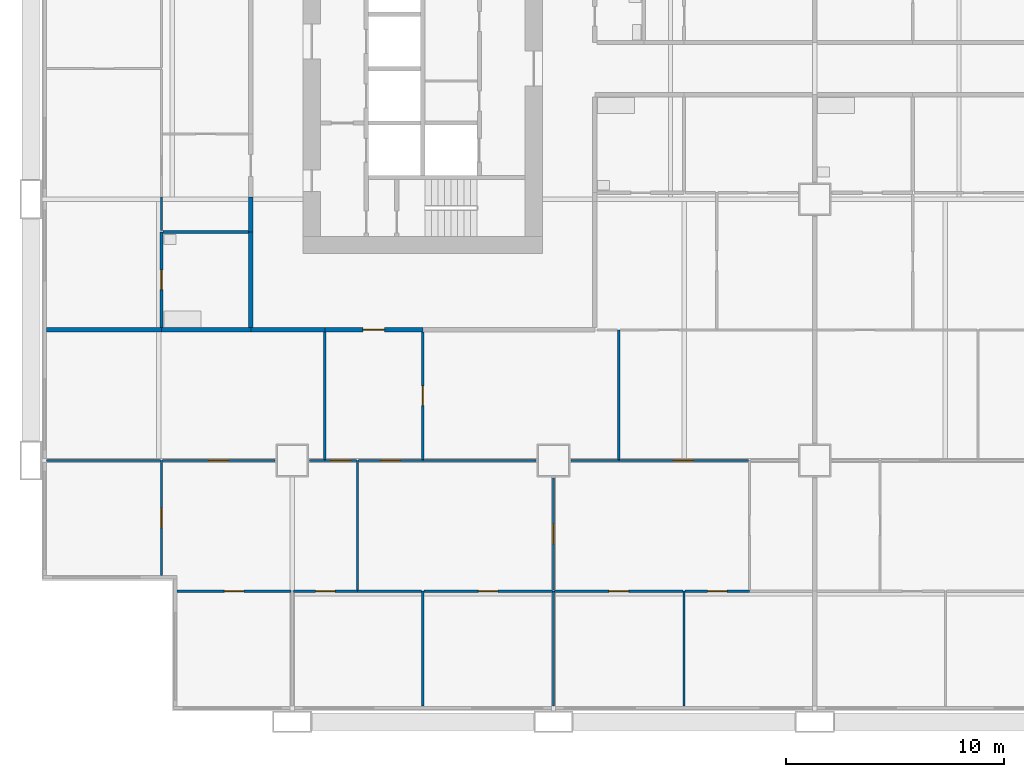
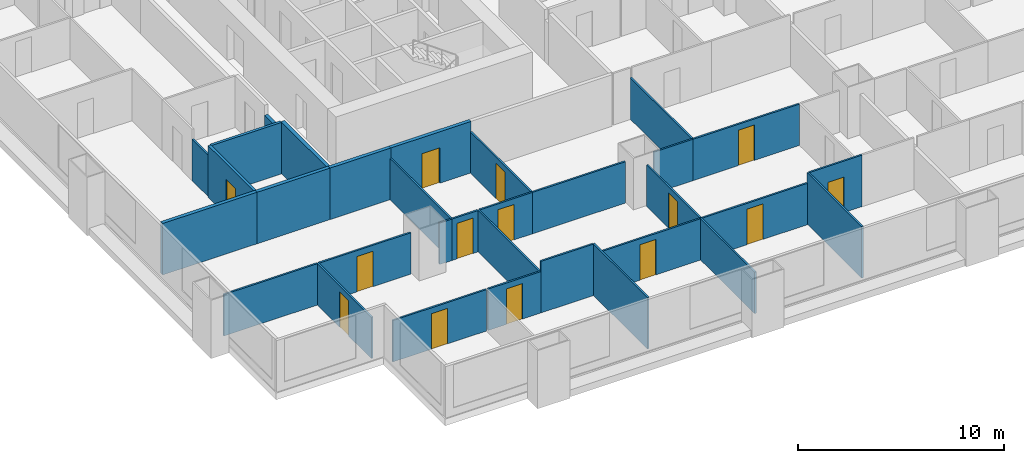
# One storey, part 2 of 13: 32 walls, 14 doors, 14 openings.
"""IFC4 building model written with IfcOpenShell, lengths in metres."""

from ifc_helpers import new_model, si_unit, direction, frame, frame_2d, origin, place, context, subcontext, project, spatial, rectangle, extrude, material, layer, layer_set, type_object, element, fill, save


model = new_model("IFC4")

# Units and contexts
model_context = context("Model", 3, precision=1e-05, world=origin(), true_north=direction((0.0, 1.0)))
body_context = subcontext(model_context, "Body", "Model", "MODEL_VIEW")
ifc_project = project(units=[si_unit("LENGTHUNIT", "METRE"), si_unit("AREAUNIT", "SQUARE_METRE"), si_unit("VOLUMEUNIT", "CUBIC_METRE"), si_unit("PLANEANGLEUNIT", "RADIAN"), si_unit("MASSUNIT", "GRAM", prefix="KILO")], contexts=[model_context])

# Site, building, storey
site_placement = place(None, origin())
site = spatial("IfcSite", under=ifc_project, at=site_placement, CompositionType="ELEMENT")
building_placement = place(site_placement, origin())
building = spatial("IfcBuilding", under=site, at=building_placement, Name="Kitamizu Gate Tower and Museum", CompositionType="ELEMENT")
storey_placement = place(building_placement, frame((0.0, 0.0, 36.89990234375)))
storey = spatial("IfcBuildingStorey", under=building, at=storey_placement, Name="L07", CompositionType="ELEMENT", Elevation=36.89990234375)

# Wall, opening, door
ifc_material_1 = material(Name="Gypsum board on galvanised stud")
ifc_layer_1 = layer(ifc_material_1, 0.10009765625)
ifc_layer_set_1 = layer_set([ifc_layer_1], Name="Gypsum board on galvanised stud")
wall_type_1 = type_object("IfcWallType", Name="Partition 100 NOT RATED", PredefinedType="PARTITIONING", material=ifc_layer_set_1)
wall_1_placement = place(storey_placement, frame((11.949951171875, 6.0, 0.0), z_axis=(0.0, 0.0, 1.0), x_axis=(-1.0, 0.0, 0.0)))
wall_1 = element("IfcWall", 1, at=wall_1_placement, inside=storey, type_object=wall_type_1, Name="Partition L07-002", PredefinedType="PARTITIONING", context=body_context, shape_type="SweptSolid", body=[
    extrude(rectangle(XDim=5.22998046875, YDim=0.10009765625, at=frame_2d((2.614990234375, 0.0))), origin(), (0.0, 0.0, 1.0), 2.4501953125),
])
opening_1_placement = place(wall_1_placement, frame((2.1650390625, 0.0, 0.0)))
opening_1 = element("IfcOpeningElement", 2, at=opening_1_placement, cuts=wall_1, Name="Opening L07-004", PredefinedType="OPENING", context=body_context, shape_type="SweptSolid", body=[
    extrude(rectangle(XDim=0.89990234375, YDim=2.10009765625, at=frame_2d((0.449951171875, 1.050048828125))), frame((0.0, 0.06005859375, 0.0), z_axis=(0.0, -1.0, 0.0), x_axis=(1.0, 0.0, 0.0)), (0.0, 0.0, 1.0), 0.1201171875),
])
ifc_material_2 = material(Name="Timber door set", Category="wood")
door_type_1 = type_object("IfcDoorType", Name="Room door 900", OperationType="NOTDEFINED", PredefinedType="DOOR", material=ifc_material_2)
door_1_placement = place(opening_1_placement, origin())
door_1 = element("IfcDoor", 3, at=door_1_placement, inside=storey, type_object=door_type_1, Name="Door L07-004", OperationType="SINGLE_SWING_LEFT", OverallHeight=2.10009765625, OverallWidth=0.89990234375, PredefinedType="DOOR", context=body_context, shape_type="SweptSolid", body=[
    extrude(rectangle(XDim=0.89990234375, YDim=2.10009765625, at=frame_2d((0.449951171875, 1.050048828125))), frame((0.0, 0.02490234375, 0.0), z_axis=(0.0, -1.0, 0.0), x_axis=(1.0, 0.0, 0.0)), (0.0, 0.0, 1.0), 0.050048828125),
])
fill(opening_1, door_1)

# Wall
wall_2_placement = place(storey_placement, frame((18.0, 0.719970703125, 0.0), z_axis=(0.0, 0.0, 1.0), x_axis=(0.0, 1.0, 0.0)))
element("IfcWall", 4, at=wall_2_placement, inside=storey, type_object=wall_type_1, Name="Partition L07-003", PredefinedType="PARTITIONING", context=body_context, shape_type="SweptSolid", body=[
    extrude(rectangle(XDim=5.280029296875, YDim=0.10009765625, at=frame_2d((2.64013671875, 0.0))), origin(), (0.0, 0.0, 1.0), 3.050048828125),
])

# Wall, opening, door
wall_3_placement = place(storey_placement, frame((15.0, 6.0, 0.0), z_axis=(0.0, 0.0, 1.0), x_axis=(-1.0, 0.0, 0.0)))
wall_3 = element("IfcWall", 5, at=wall_3_placement, inside=storey, type_object=wall_type_1, Name="Partition L07-004", PredefinedType="PARTITIONING", context=body_context, shape_type="SweptSolid", body=[
    extrude(rectangle(XDim=2.949951171875, YDim=0.10009765625, at=frame_2d((1.47509765625, 0.0))), origin(), (0.0, 0.0, 1.0), 2.4501953125),
])
opening_2_placement = place(wall_3_placement, frame((1.02490234375, 0.0, 0.0)))
opening_2 = element("IfcOpeningElement", 6, at=opening_2_placement, cuts=wall_3, Name="Opening L07-005", PredefinedType="OPENING", context=body_context, shape_type="SweptSolid", body=[
    extrude(rectangle(XDim=0.89990234375, YDim=2.10009765625, at=frame_2d((0.449951171875, 1.050048828125))), frame((0.0, 0.06005859375, 0.0), z_axis=(0.0, -1.0, 0.0), x_axis=(1.0, 0.0, 0.0)), (0.0, 0.0, 1.0), 0.1201171875),
])
door_2_placement = place(opening_2_placement, origin())
door_2 = element("IfcDoor", 7, at=door_2_placement, inside=storey, type_object=door_type_1, Name="Door L07-005", OperationType="SINGLE_SWING_LEFT", OverallHeight=2.10009765625, OverallWidth=0.89990234375, PredefinedType="DOOR", context=body_context, shape_type="SweptSolid", body=[
    extrude(rectangle(XDim=0.89990234375, YDim=2.10009765625, at=frame_2d((0.449951171875, 1.050048828125))), frame((0.0, 0.02490234375, 0.0), z_axis=(0.0, -1.0, 0.0), x_axis=(1.0, 0.0, 0.0)), (0.0, 0.0, 1.0), 0.050048828125),
])
fill(opening_2, door_2)

# Walls
wall_4_placement = place(storey_placement, frame((17.949951171875, 6.0, 0.0), z_axis=(0.0, 0.0, 1.0), x_axis=(-1.0, 0.0, 0.0)))
element("IfcWall", 8, at=wall_4_placement, inside=storey, type_object=wall_type_1, Name="Partition L07-005", PredefinedType="PARTITIONING", context=body_context, shape_type="SweptSolid", body=[
    extrude(rectangle(XDim=2.949951171875, YDim=0.10009765625, at=frame_2d((1.47509765625, 0.0))), origin(), (0.0, 0.0, 1.0), 3.050048828125),
])
wall_5_placement = place(storey_placement, frame((24.0, 0.719970703125, 0.0), z_axis=(0.0, 0.0, 1.0), x_axis=(0.0, 1.0, 0.0)))
element("IfcWall", 9, at=wall_5_placement, inside=storey, type_object=wall_type_1, Name="Partition L07-006", PredefinedType="PARTITIONING", context=body_context, shape_type="SweptSolid", body=[
    extrude(rectangle(XDim=5.280029296875, YDim=0.10009765625, at=frame_2d((2.64013671875, 0.0))), origin(), (0.0, 0.0, 1.0), 2.4501953125),
])

# Wall, opening, door
wall_6_placement = place(storey_placement, frame((23.949951171875, 6.0, 0.0), z_axis=(0.0, 0.0, 1.0), x_axis=(-1.0, 0.0, 0.0)))
wall_6 = element("IfcWall", 10, at=wall_6_placement, inside=storey, type_object=wall_type_1, Name="Partition L07-007", PredefinedType="PARTITIONING", context=body_context, shape_type="SweptSolid", body=[
    extrude(rectangle(XDim=5.89990234375, YDim=0.10009765625, at=frame_2d((2.949951171875, 0.0))), origin(), (0.0, 0.0, 1.0), 2.4501953125),
])
opening_3_placement = place(wall_6_placement, frame((2.5, 0.0, 0.0)))
opening_3 = element("IfcOpeningElement", 11, at=opening_3_placement, cuts=wall_6, Name="Opening L07-007", PredefinedType="OPENING", context=body_context, shape_type="SweptSolid", body=[
    extrude(rectangle(XDim=0.89990234375, YDim=2.10009765625, at=frame_2d((0.449951171875, 1.050048828125))), frame((0.0, 0.06005859375, 0.0), z_axis=(0.0, -1.0, 0.0), x_axis=(1.0, 0.0, 0.0)), (0.0, 0.0, 1.0), 0.1201171875),
])
door_3_placement = place(opening_3_placement, origin())
door_3 = element("IfcDoor", 12, at=door_3_placement, inside=storey, type_object=door_type_1, Name="Door L07-007", OperationType="SINGLE_SWING_LEFT", OverallHeight=2.10009765625, OverallWidth=0.89990234375, PredefinedType="DOOR", context=body_context, shape_type="SweptSolid", body=[
    extrude(rectangle(XDim=0.89990234375, YDim=2.10009765625, at=frame_2d((0.449951171875, 1.050048828125))), frame((0.0, 0.02490234375, 0.0), z_axis=(0.0, -1.0, 0.0), x_axis=(1.0, 0.0, 0.0)), (0.0, 0.0, 1.0), 0.050048828125),
])
fill(opening_3, door_3)

# Wall
wall_7_placement = place(storey_placement, frame((30.0, 0.719970703125, 0.0), z_axis=(0.0, 0.0, 1.0), x_axis=(0.0, 1.0, 0.0)))
element("IfcWall", 13, at=wall_7_placement, inside=storey, type_object=wall_type_1, Name="Partition L07-008", PredefinedType="PARTITIONING", context=body_context, shape_type="SweptSolid", body=[
    extrude(rectangle(XDim=5.280029296875, YDim=0.10009765625, at=frame_2d((2.64013671875, 0.0))), origin(), (0.0, 0.0, 1.0), 3.050048828125),
])

# Wall, opening, door
wall_8_placement = place(storey_placement, frame((29.949951171875, 6.0, 0.0), z_axis=(0.0, 0.0, 1.0), x_axis=(-1.0, 0.0, 0.0)))
wall_8 = element("IfcWall", 14, at=wall_8_placement, inside=storey, type_object=wall_type_1, Name="Partition L07-009", PredefinedType="PARTITIONING", context=body_context, shape_type="SweptSolid", body=[
    extrude(rectangle(XDim=5.89990234375, YDim=0.10009765625, at=frame_2d((2.949951171875, 0.0))), origin(), (0.0, 0.0, 1.0), 2.4501953125),
])
opening_4_placement = place(wall_8_placement, frame((2.5, 0.0, 0.0)))
opening_4 = element("IfcOpeningElement", 15, at=opening_4_placement, cuts=wall_8, Name="Opening L07-008", PredefinedType="OPENING", context=body_context, shape_type="SweptSolid", body=[
    extrude(rectangle(XDim=0.89990234375, YDim=2.10009765625, at=frame_2d((0.449951171875, 1.050048828125))), frame((0.0, 0.06005859375, 0.0), z_axis=(0.0, -1.0, 0.0), x_axis=(1.0, 0.0, 0.0)), (0.0, 0.0, 1.0), 0.1201171875),
])
door_4_placement = place(opening_4_placement, origin())
door_4 = element("IfcDoor", 16, at=door_4_placement, inside=storey, type_object=door_type_1, Name="Door L07-008", OperationType="SINGLE_SWING_RIGHT", OverallHeight=2.10009765625, OverallWidth=0.89990234375, PredefinedType="DOOR", context=body_context, shape_type="SweptSolid", body=[
    extrude(rectangle(XDim=0.89990234375, YDim=2.10009765625, at=frame_2d((0.449951171875, 1.050048828125))), frame((0.0, 0.02490234375, 0.0), z_axis=(0.0, -1.0, 0.0), x_axis=(1.0, 0.0, 0.0)), (0.0, 0.0, 1.0), 0.050048828125),
])
fill(opening_4, door_4)

wall_9_placement = place(storey_placement, frame((33.0, 6.0, 0.0), z_axis=(0.0, 0.0, 1.0), x_axis=(-1.0, 0.0, 0.0)))
wall_9 = element("IfcWall", 17, at=wall_9_placement, inside=storey, type_object=wall_type_1, Name="Partition L07-010", PredefinedType="PARTITIONING", context=body_context, shape_type="SweptSolid", body=[
    extrude(rectangle(XDim=2.949951171875, YDim=0.10009765625, at=frame_2d((1.47509765625, 0.0))), origin(), (0.0, 0.0, 1.0), 3.050048828125),
])
opening_5_placement = place(wall_9_placement, frame((1.02490234375, 0.0, 0.0)))
opening_5 = element("IfcOpeningElement", 18, at=opening_5_placement, cuts=wall_9, Name="Opening L07-009", PredefinedType="OPENING", context=body_context, shape_type="SweptSolid", body=[
    extrude(rectangle(XDim=0.89990234375, YDim=2.10009765625, at=frame_2d((0.449951171875, 1.050048828125))), frame((0.0, 0.06005859375, 0.0), z_axis=(0.0, -1.0, 0.0), x_axis=(1.0, 0.0, 0.0)), (0.0, 0.0, 1.0), 0.1201171875),
])
door_5_placement = place(opening_5_placement, origin())
door_5 = element("IfcDoor", 19, at=door_5_placement, inside=storey, type_object=door_type_1, Name="Door L07-009", OperationType="SINGLE_SWING_LEFT", OverallHeight=2.10009765625, OverallWidth=0.89990234375, PredefinedType="DOOR", context=body_context, shape_type="SweptSolid", body=[
    extrude(rectangle(XDim=0.89990234375, YDim=2.10009765625, at=frame_2d((0.449951171875, 1.050048828125))), frame((0.0, 0.02490234375, 0.0), z_axis=(0.0, -1.0, 0.0), x_axis=(1.0, 0.0, 0.0)), (0.0, 0.0, 1.0), 0.050048828125),
])
fill(opening_5, door_5)

wall_10_placement = place(storey_placement, frame((6.0, 6.719970703125, 0.0), z_axis=(0.0, 0.0, 1.0), x_axis=(0.0, 1.0, 0.0)))
wall_10 = element("IfcWall", 20, at=wall_10_placement, inside=storey, type_object=wall_type_1, Name="Partition L07-013", PredefinedType="PARTITIONING", context=body_context, shape_type="SweptSolid", body=[
    extrude(rectangle(XDim=5.280029296875, YDim=0.10009765625, at=frame_2d((2.64013671875, 0.0))), origin(), (0.0, 0.0, 1.0), 2.4501953125),
])
opening_6_placement = place(wall_10_placement, frame((2.18994140625, 0.0, 0.0)))
opening_6 = element("IfcOpeningElement", 21, at=opening_6_placement, cuts=wall_10, Name="Opening L07-010", PredefinedType="OPENING", context=body_context, shape_type="SweptSolid", body=[
    extrude(rectangle(XDim=0.89990234375, YDim=2.10009765625, at=frame_2d((0.449951171875, 1.050048828125))), frame((0.0, 0.06005859375, 0.0), z_axis=(0.0, -1.0, 0.0), x_axis=(1.0, 0.0, 0.0)), (0.0, 0.0, 1.0), 0.1201171875),
])
door_6_placement = place(opening_6_placement, origin())
door_6 = element("IfcDoor", 22, at=door_6_placement, inside=storey, type_object=door_type_1, Name="Door L07-010", OperationType="SINGLE_SWING_LEFT", OverallHeight=2.10009765625, OverallWidth=0.89990234375, PredefinedType="DOOR", context=body_context, shape_type="SweptSolid", body=[
    extrude(rectangle(XDim=0.89990234375, YDim=2.10009765625, at=frame_2d((0.449951171875, 1.050048828125))), frame((0.0, 0.02490234375, 0.0), z_axis=(0.0, -1.0, 0.0), x_axis=(1.0, 0.0, 0.0)), (0.0, 0.0, 1.0), 0.050048828125),
])
fill(opening_6, door_6)

# Walls
wall_11_placement = place(storey_placement, frame((5.949951171875, 12.0, 0.0), z_axis=(0.0, 0.0, 1.0), x_axis=(-1.0, 0.0, 0.0)))
element("IfcWall", 23, at=wall_11_placement, inside=storey, type_object=wall_type_1, Name="Partition L07-014", PredefinedType="PARTITIONING", context=body_context, shape_type="SweptSolid", body=[
    extrude(rectangle(XDim=5.22998046875, YDim=0.10009765625, at=frame_2d((2.614990234375, 0.0))), origin(), (0.0, 0.0, 1.0), 2.4501953125),
])
wall_12_placement = place(storey_placement, frame((15.0, 6.050048828125, 0.0), z_axis=(0.0, 0.0, 1.0), x_axis=(0.0, 1.0, 0.0)))
element("IfcWall", 24, at=wall_12_placement, inside=storey, type_object=wall_type_1, Name="Partition L07-015", PredefinedType="PARTITIONING", context=body_context, shape_type="SweptSolid", body=[
    extrude(rectangle(XDim=5.949951171875, YDim=0.10009765625, at=frame_2d((2.97509765625, 0.0))), origin(), (0.0, 0.0, 1.0), 2.4501953125),
])

# Wall, opening, door
wall_13_placement = place(storey_placement, frame((11.199951171875, 12.0, 0.0), z_axis=(0.0, 0.0, 1.0), x_axis=(-1.0, 0.0, 0.0)))
wall_13 = element("IfcWall", 25, at=wall_13_placement, inside=storey, type_object=wall_type_1, Name="Partition L07-016", PredefinedType="PARTITIONING", context=body_context, shape_type="SweptSolid", body=[
    extrude(rectangle(XDim=5.14990234375, YDim=0.10009765625, at=frame_2d((2.574951171875, 0.0))), origin(), (0.0, 0.0, 1.0), 2.4501953125),
])
opening_7_placement = place(wall_13_placement, frame((2.125, 0.0, 0.0)))
opening_7 = element("IfcOpeningElement", 26, at=opening_7_placement, cuts=wall_13, Name="Opening L07-012", PredefinedType="OPENING", context=body_context, shape_type="SweptSolid", body=[
    extrude(rectangle(XDim=0.89990234375, YDim=2.10009765625, at=frame_2d((0.449951171875, 1.050048828125))), frame((0.0, 0.06005859375, 0.0), z_axis=(0.0, -1.0, 0.0), x_axis=(1.0, 0.0, 0.0)), (0.0, 0.0, 1.0), 0.1201171875),
])
door_7_placement = place(opening_7_placement, frame((0.89990234375, 0.0, 0.0), x_axis=(-1.0, 0.0, 0.0)))
door_7 = element("IfcDoor", 27, at=door_7_placement, inside=storey, type_object=door_type_1, Name="Door L07-012", OperationType="SINGLE_SWING_RIGHT", OverallHeight=2.10009765625, OverallWidth=0.89990234375, PredefinedType="DOOR", context=body_context, shape_type="SweptSolid", body=[
    extrude(rectangle(XDim=0.89990234375, YDim=2.10009765625, at=frame_2d((0.449951171875, 1.050048828125))), frame((0.0, 0.02490234375, 0.0), z_axis=(0.0, -1.0, 0.0), x_axis=(1.0, 0.0, 0.0)), (0.0, 0.0, 1.0), 0.050048828125),
])
fill(opening_7, door_7)

# Wall
wall_14_placement = place(storey_placement, frame((13.5, 12.0, 0.0), z_axis=(0.0, 0.0, 1.0), x_axis=(-1.0, 0.0, 0.0)))
element("IfcWall", 28, at=wall_14_placement, inside=storey, type_object=wall_type_1, Name="Partition L07-017", PredefinedType="PARTITIONING", context=body_context, shape_type="SweptSolid", body=[
    extrude(rectangle(XDim=0.699951171875, YDim=0.10009765625, at=frame_2d((0.35009765625, 0.0))), origin(), (0.0, 0.0, 1.0), 2.4501953125),
])

# Wall, opening, door
wall_15_placement = place(storey_placement, frame((14.949951171875, 12.0, 0.0), z_axis=(0.0, 0.0, 1.0), x_axis=(-1.0, 0.0, 0.0)))
wall_15 = element("IfcWall", 29, at=wall_15_placement, inside=storey, type_object=wall_type_1, Name="Partition L07-018", PredefinedType="PARTITIONING", context=body_context, shape_type="SweptSolid", body=[
    extrude(rectangle(XDim=1.449951171875, YDim=0.10009765625, at=frame_2d((0.72509765625, 0.0))), origin(), (0.0, 0.0, 1.0), 2.4501953125),
])
opening_8_placement = place(wall_15_placement, frame((0.27490234375, 0.0, 0.0)))
opening_8 = element("IfcOpeningElement", 30, at=opening_8_placement, cuts=wall_15, Name="Opening L07-002", PredefinedType="OPENING", context=body_context, shape_type="SweptSolid", body=[
    extrude(rectangle(XDim=0.89990234375, YDim=2.10009765625, at=frame_2d((0.449951171875, 1.050048828125))), frame((0.0, 0.06005859375, 0.0), z_axis=(0.0, -1.0, 0.0), x_axis=(1.0, 0.0, 0.0)), (0.0, 0.0, 1.0), 0.1201171875),
])
door_8_placement = place(opening_8_placement, frame((0.89990234375, 0.0, 0.0), x_axis=(-1.0, 0.0, 0.0)))
door_8 = element("IfcDoor", 31, at=door_8_placement, inside=storey, type_object=door_type_1, Name="Door L07-002", OperationType="SINGLE_SWING_RIGHT", OverallHeight=2.10009765625, OverallWidth=0.89990234375, PredefinedType="DOOR", context=body_context, shape_type="SweptSolid", body=[
    extrude(rectangle(XDim=0.89990234375, YDim=2.10009765625, at=frame_2d((0.449951171875, 1.050048828125))), frame((0.0, 0.02490234375, 0.0), z_axis=(0.0, -1.0, 0.0), x_axis=(1.0, 0.0, 0.0)), (0.0, 0.0, 1.0), 0.050048828125),
])
fill(opening_8, door_8)

wall_16_placement = place(storey_placement, frame((24.0, 6.050048828125, 0.0), z_axis=(0.0, 0.0, 1.0), x_axis=(0.0, 1.0, 0.0)))
wall_16 = element("IfcWall", 32, at=wall_16_placement, inside=storey, type_object=wall_type_1, Name="Partition L07-019", PredefinedType="PARTITIONING", context=body_context, shape_type="SweptSolid", body=[
    extrude(rectangle(XDim=5.14990234375, YDim=0.10009765625, at=frame_2d((2.574951171875, 0.0))), origin(), (0.0, 0.0, 1.0), 2.4501953125),
])
opening_9_placement = place(wall_16_placement, frame((2.125, 0.0, 0.0)))
opening_9 = element("IfcOpeningElement", 33, at=opening_9_placement, cuts=wall_16, Name="Opening L07-006", PredefinedType="OPENING", context=body_context, shape_type="SweptSolid", body=[
    extrude(rectangle(XDim=0.89990234375, YDim=2.10009765625, at=frame_2d((0.449951171875, 1.050048828125))), frame((0.0, 0.06005859375, 0.0), z_axis=(0.0, -1.0, 0.0), x_axis=(1.0, 0.0, 0.0)), (0.0, 0.0, 1.0), 0.1201171875),
])
door_9_placement = place(opening_9_placement, origin())
door_9 = element("IfcDoor", 34, at=door_9_placement, inside=storey, type_object=door_type_1, Name="Door L07-006", OperationType="SINGLE_SWING_RIGHT", OverallHeight=2.10009765625, OverallWidth=0.89990234375, PredefinedType="DOOR", context=body_context, shape_type="SweptSolid", body=[
    extrude(rectangle(XDim=0.89990234375, YDim=2.10009765625, at=frame_2d((0.449951171875, 1.050048828125))), frame((0.0, 0.02490234375, 0.0), z_axis=(0.0, -1.0, 0.0), x_axis=(1.0, 0.0, 0.0)), (0.0, 0.0, 1.0), 0.050048828125),
])
fill(opening_9, door_9)

wall_17_placement = place(storey_placement, frame((18.0, 12.0, 0.0), z_axis=(0.0, 0.0, 1.0), x_axis=(-1.0, 0.0, 0.0)))
wall_17 = element("IfcWall", 35, at=wall_17_placement, inside=storey, type_object=wall_type_1, Name="Partition L07-020", PredefinedType="PARTITIONING", context=body_context, shape_type="SweptSolid", body=[
    extrude(rectangle(XDim=2.949951171875, YDim=0.10009765625, at=frame_2d((1.47509765625, 0.0))), origin(), (0.0, 0.0, 1.0), 2.4501953125),
])
opening_10_placement = place(wall_17_placement, frame((1.02490234375, 0.0, 0.0)))
opening_10 = element("IfcOpeningElement", 36, at=opening_10_placement, cuts=wall_17, Name="Opening L07-003", PredefinedType="OPENING", context=body_context, shape_type="SweptSolid", body=[
    extrude(rectangle(XDim=0.89990234375, YDim=2.10009765625, at=frame_2d((0.449951171875, 1.050048828125))), frame((0.0, 0.06005859375, 0.0), z_axis=(0.0, -1.0, 0.0), x_axis=(1.0, 0.0, 0.0)), (0.0, 0.0, 1.0), 0.1201171875),
])
door_10_placement = place(opening_10_placement, origin())
door_10 = element("IfcDoor", 37, at=door_10_placement, inside=storey, type_object=door_type_1, Name="Door L07-003", OperationType="SINGLE_SWING_LEFT", OverallHeight=2.10009765625, OverallWidth=0.89990234375, PredefinedType="DOOR", context=body_context, shape_type="SweptSolid", body=[
    extrude(rectangle(XDim=0.89990234375, YDim=2.10009765625, at=frame_2d((0.449951171875, 1.050048828125))), frame((0.0, 0.02490234375, 0.0), z_axis=(0.0, -1.0, 0.0), x_axis=(1.0, 0.0, 0.0)), (0.0, 0.0, 1.0), 0.050048828125),
])
fill(opening_10, door_10)

# Walls
wall_18_placement = place(storey_placement, frame((23.199951171875, 12.0, 0.0), z_axis=(0.0, 0.0, 1.0), x_axis=(-1.0, 0.0, 0.0)))
element("IfcWall", 38, at=wall_18_placement, inside=storey, type_object=wall_type_1, Name="Partition L07-021", PredefinedType="PARTITIONING", context=body_context, shape_type="SweptSolid", body=[
    extrude(rectangle(XDim=5.199951171875, YDim=0.10009765625, at=frame_2d((2.60009765625, 0.0))), origin(), (0.0, 0.0, 1.0), 2.4501953125),
])
wall_19_placement = place(storey_placement, frame((27.0, 12.0, 0.0), z_axis=(0.0, 0.0, 1.0), x_axis=(-1.0, 0.0, 0.0)))
element("IfcWall", 39, at=wall_19_placement, inside=storey, type_object=wall_type_1, Name="Partition L07-023", PredefinedType="PARTITIONING", context=body_context, shape_type="SweptSolid", body=[
    extrude(rectangle(XDim=2.199951171875, YDim=0.10009765625, at=frame_2d((1.10009765625, 0.0))), origin(), (0.0, 0.0, 1.0), 2.4501953125),
])

# Wall, opening, door
wall_20_placement = place(storey_placement, frame((32.949951171875, 12.0, 0.0), z_axis=(0.0, 0.0, 1.0), x_axis=(-1.0, 0.0, 0.0)))
wall_20 = element("IfcWall", 40, at=wall_20_placement, inside=storey, type_object=wall_type_1, Name="Partition L07-024", PredefinedType="PARTITIONING", context=body_context, shape_type="SweptSolid", body=[
    extrude(rectangle(XDim=5.949951171875, YDim=0.10009765625, at=frame_2d((2.97509765625, 0.0))), origin(), (0.0, 0.0, 1.0), 2.4501953125),
])
opening_11_placement = place(wall_20_placement, frame((2.52490234375, 0.0, 0.0)))
opening_11 = element("IfcOpeningElement", 41, at=opening_11_placement, cuts=wall_20, Name="Opening L07-014", PredefinedType="OPENING", context=body_context, shape_type="SweptSolid", body=[
    extrude(rectangle(XDim=0.89990234375, YDim=2.10009765625, at=frame_2d((0.449951171875, 1.050048828125))), frame((0.0, 0.06005859375, 0.0), z_axis=(0.0, -1.0, 0.0), x_axis=(1.0, 0.0, 0.0)), (0.0, 0.0, 1.0), 0.1201171875),
])
door_11_placement = place(opening_11_placement, origin())
door_11 = element("IfcDoor", 42, at=door_11_placement, inside=storey, type_object=door_type_1, Name="Door L07-014", OperationType="SINGLE_SWING_LEFT", OverallHeight=2.10009765625, OverallWidth=0.89990234375, PredefinedType="DOOR", context=body_context, shape_type="SweptSolid", body=[
    extrude(rectangle(XDim=0.89990234375, YDim=2.10009765625, at=frame_2d((0.449951171875, 1.050048828125))), frame((0.0, 0.02490234375, 0.0), z_axis=(0.0, -1.0, 0.0), x_axis=(1.0, 0.0, 0.0)), (0.0, 0.0, 1.0), 0.050048828125),
])
fill(opening_11, door_11)

# Wall
wall_21_placement = place(storey_placement, frame((13.5, 12.050048828125, 0.0), z_axis=(0.0, 0.0, 1.0), x_axis=(0.0, 1.0, 0.0)))
element("IfcWall", 43, at=wall_21_placement, inside=storey, type_object=wall_type_1, Name="Partition L07-027", PredefinedType="PARTITIONING", context=body_context, shape_type="SweptSolid", body=[
    extrude(rectangle(XDim=5.849853515625, YDim=0.10009765625, at=frame_2d((2.9248046875, 0.0))), origin(), (0.0, 0.0, 1.0), 2.4501953125),
])

# Wall, opening, door
wall_22_placement = place(storey_placement, frame((18.0, 12.050048828125, 0.0), z_axis=(0.0, 0.0, 1.0), x_axis=(0.0, 1.0, 0.0)))
wall_22 = element("IfcWall", 44, at=wall_22_placement, inside=storey, type_object=wall_type_1, Name="Partition L07-031", PredefinedType="PARTITIONING", context=body_context, shape_type="SweptSolid", body=[
    extrude(rectangle(XDim=5.849853515625, YDim=0.10009765625, at=frame_2d((2.9248046875, 0.0))), origin(), (0.0, 0.0, 1.0), 2.4501953125),
])
opening_12_placement = place(wall_22_placement, frame((2.47509765625, 0.0, 0.0)))
opening_12 = element("IfcOpeningElement", 45, at=opening_12_placement, cuts=wall_22, Name="Opening L07-013", PredefinedType="OPENING", context=body_context, shape_type="SweptSolid", body=[
    extrude(rectangle(XDim=0.89990234375, YDim=2.10009765625, at=frame_2d((0.449951171875, 1.050048828125))), frame((0.0, 0.06005859375, 0.0), z_axis=(0.0, -1.0, 0.0), x_axis=(1.0, 0.0, 0.0)), (0.0, 0.0, 1.0), 0.1201171875),
])
door_12_placement = place(opening_12_placement, frame((0.89990234375, 0.0, 0.0), x_axis=(-1.0, 0.0, 0.0)))
door_12 = element("IfcDoor", 46, at=door_12_placement, inside=storey, type_object=door_type_1, Name="Door L07-013", OperationType="SINGLE_SWING_LEFT", OverallHeight=2.10009765625, OverallWidth=0.89990234375, PredefinedType="DOOR", context=body_context, shape_type="SweptSolid", body=[
    extrude(rectangle(XDim=0.89990234375, YDim=2.10009765625, at=frame_2d((0.449951171875, 1.050048828125))), frame((0.0, 0.02490234375, 0.0), z_axis=(0.0, -1.0, 0.0), x_axis=(1.0, 0.0, 0.0)), (0.0, 0.0, 1.0), 0.050048828125),
])
fill(opening_12, door_12)

# Walls
wall_23_placement = place(storey_placement, frame((27.0, 12.050048828125, 0.0), z_axis=(0.0, 0.0, 1.0), x_axis=(0.0, 1.0, 0.0)))
element("IfcWall", 47, at=wall_23_placement, inside=storey, type_object=wall_type_1, Name="Partition L07-033", PredefinedType="PARTITIONING", context=body_context, shape_type="SweptSolid", body=[
    extrude(rectangle(XDim=5.949951171875, YDim=0.10009765625, at=frame_2d((2.97509765625, 0.0))), origin(), (0.0, 0.0, 1.0), 2.4501953125),
])
wall_24_placement = place(storey_placement, frame((6.0, 22.574951171875, 0.0), z_axis=(0.0, 0.0, 1.0), x_axis=(0.0, 1.0, 0.0)))
element("IfcWall", 48, at=wall_24_placement, inside=storey, type_object=wall_type_1, Name="Partition L07-053", PredefinedType="PARTITIONING", context=body_context, shape_type="SweptSolid", body=[
    extrude(rectangle(XDim=1.525146484375, YDim=0.10009765625, at=frame_2d((0.7626953125, 0.0))), origin(), (0.0, 0.0, 1.0), 2.4501953125),
])

# Wall, opening, door
ifc_material_3 = material(Name="Gypsum board on galvanised stud")
ifc_layer_2 = layer(ifc_material_3, 0.14990234375)
ifc_layer_set_2 = layer_set([ifc_layer_2], Name="Gypsum board on galvanised stud")
wall_type_2 = type_object("IfcWallType", Name="Partition 150", PredefinedType="PARTITIONING", material=ifc_layer_set_2)
wall_25_placement = place(storey_placement, frame((6.0, 18.10009765625, 0.0), z_axis=(0.0, 0.0, 1.0), x_axis=(0.0, 1.0, 0.0)))
wall_25 = element("IfcWall", 49, at=wall_25_placement, inside=storey, type_object=wall_type_2, Name="Partition L07-052", PredefinedType="PARTITIONING", context=body_context, shape_type="SweptSolid", body=[
    extrude(rectangle(XDim=4.39990234375, YDim=0.14990234375, at=frame_2d((2.199951171875, 0.0))), origin(), (0.0, 0.0, 1.0), 3.050048828125),
])
opening_13_placement = place(wall_25_placement, frame((1.75, 0.0, 0.0)))
opening_13 = element("IfcOpeningElement", 50, at=opening_13_placement, cuts=wall_25, Name="Opening L07-024", PredefinedType="OPENING", context=body_context, shape_type="SweptSolid", body=[
    extrude(rectangle(XDim=0.89990234375, YDim=2.10009765625, at=frame_2d((0.449951171875, 1.050048828125))), frame((0.0, 0.0849609375, 0.0), z_axis=(0.0, -1.0, 0.0), x_axis=(1.0, 0.0, 0.0)), (0.0, 0.0, 1.0), 0.169921875),
])
ifc_material_4 = material(Name="Timber door set", Category="wood")
door_type_2 = type_object("IfcDoorType", Name="Bathroom door 900", OperationType="NOTDEFINED", PredefinedType="DOOR", material=ifc_material_4)
door_13_placement = place(opening_13_placement, frame((0.89990234375, 0.0, 0.0), x_axis=(-1.0, 0.0, 0.0)))
door_13 = element("IfcDoor", 51, at=door_13_placement, inside=storey, type_object=door_type_2, Name="Bathroom door L07-024", OperationType="SINGLE_SWING_RIGHT", OverallHeight=2.10009765625, OverallWidth=0.89990234375, PredefinedType="DOOR", context=body_context, shape_type="SweptSolid", body=[
    extrude(rectangle(XDim=0.89990234375, YDim=2.10009765625, at=frame_2d((0.449951171875, 1.050048828125))), frame((0.0, 0.02490234375, 0.0), z_axis=(0.0, -1.0, 0.0), x_axis=(1.0, 0.0, 0.0)), (0.0, 0.0, 1.0), 0.050048828125),
])
fill(opening_13, door_13)

# Walls
wall_26_placement = place(storey_placement, frame((10.0, 22.5, 0.0), z_axis=(0.0, 0.0, 1.0), x_axis=(-1.0, 0.0, 0.0)))
element("IfcWall", 52, at=wall_26_placement, inside=storey, type_object=wall_type_2, Name="Partition L07-060", PredefinedType="PARTITIONING", context=body_context, shape_type="SweptSolid", body=[
    extrude(rectangle(XDim=3.925048828125, YDim=0.14990234375, at=frame_2d((1.96240234375, 0.0))), origin(), (0.0, 0.0, 1.0), 3.050048828125),
])
ifc_material_5 = material(Name="Gypsum board on galvanised stud")
ifc_layer_3 = layer(ifc_material_5, 0.199951171875)
ifc_layer_set_3 = layer_set([ifc_layer_3], Name="Gypsum board on galvanised stud")
wall_type_3 = type_object("IfcWallType", Name="Partition 200", PredefinedType="PARTITIONING", material=ifc_layer_set_3)
wall_27_placement = place(storey_placement, frame((6.0, 18.0, 0.0), z_axis=(0.0, 0.0, 1.0), x_axis=(-1.0, 0.0, 0.0)))
element("IfcWall", 53, at=wall_27_placement, inside=storey, type_object=wall_type_3, Name="Partition L07-028", PredefinedType="PARTITIONING", context=body_context, shape_type="SweptSolid", body=[
    extrude(rectangle(XDim=5.280029296875, YDim=0.199951171875, at=frame_2d((2.64013671875, 0.0))), origin(), (0.0, 0.0, 1.0), 3.050048828125),
])
wall_28_placement = place(storey_placement, frame((10.10009765625, 18.0, 0.0), z_axis=(0.0, 0.0, 1.0), x_axis=(-1.0, 0.0, 0.0)))
element("IfcWall", 54, at=wall_28_placement, inside=storey, type_object=wall_type_3, Name="Partition L07-029", PredefinedType="PARTITIONING", context=body_context, shape_type="SweptSolid", body=[
    extrude(rectangle(XDim=4.10009765625, YDim=0.199951171875, at=frame_2d((2.050048828125, 0.0))), origin(), (0.0, 0.0, 1.0), 3.050048828125),
])
wall_29_placement = place(storey_placement, frame((13.5, 18.0, 0.0), z_axis=(0.0, 0.0, 1.0), x_axis=(-1.0, 0.0, 0.0)))
element("IfcWall", 55, at=wall_29_placement, inside=storey, type_object=wall_type_3, Name="Partition L07-030", PredefinedType="PARTITIONING", context=body_context, shape_type="SweptSolid", body=[
    extrude(rectangle(XDim=3.39990234375, YDim=0.199951171875, at=frame_2d((1.699951171875, 0.0))), origin(), (0.0, 0.0, 1.0), 3.050048828125),
])

# Wall, opening, door
wall_30_placement = place(storey_placement, frame((18.0, 18.0, 0.0), z_axis=(0.0, 0.0, 1.0), x_axis=(-1.0, 0.0, 0.0)))
wall_30 = element("IfcWall", 56, at=wall_30_placement, inside=storey, type_object=wall_type_3, Name="Partition L07-032", PredefinedType="PARTITIONING", context=body_context, shape_type="SweptSolid", body=[
    extrude(rectangle(XDim=4.5, YDim=0.199951171875, at=frame_2d((2.25, 0.0))), origin(), (0.0, 0.0, 1.0), 3.050048828125),
])
opening_14_placement = place(wall_30_placement, frame((1.75, 0.0, 0.0)))
opening_14 = element("IfcOpeningElement", 57, at=opening_14_placement, cuts=wall_30, Name="Opening L07-001", PredefinedType="OPENING", context=body_context, shape_type="SweptSolid", body=[
    extrude(rectangle(XDim=1.0, YDim=2.10009765625, at=frame_2d((0.5, 1.050048828125))), frame((0.0, 0.10986328125, 0.0), z_axis=(0.0, -1.0, 0.0), x_axis=(1.0, 0.0, 0.0)), (0.0, 0.0, 1.0), 0.219970703125),
])
ifc_material_6 = material(Name="Timber door set", Category="wood")
door_type_3 = type_object("IfcDoorType", Name="Flat entrance door 1000", OperationType="NOTDEFINED", PredefinedType="DOOR", material=ifc_material_6)
door_14_placement = place(opening_14_placement, origin())
door_14 = element("IfcDoor", 58, at=door_14_placement, inside=storey, type_object=door_type_3, Name="Flat entrance door L07-001", OperationType="SINGLE_SWING_RIGHT", OverallHeight=2.10009765625, OverallWidth=1.0, PredefinedType="DOOR", context=body_context, shape_type="SweptSolid", body=[
    extrude(rectangle(XDim=1.0, YDim=2.10009765625, at=frame_2d((0.5, 1.050048828125))), frame((0.0, 0.02490234375, 0.0), z_axis=(0.0, -1.0, 0.0), x_axis=(1.0, 0.0, 0.0)), (0.0, 0.0, 1.0), 0.050048828125),
])
fill(opening_14, door_14)

# Walls
wall_31_placement = place(storey_placement, frame((10.10009765625, 18.10009765625, 0.0), z_axis=(0.0, 0.0, 1.0), x_axis=(0.0, 1.0, 0.0)))
element("IfcWall", 59, at=wall_31_placement, inside=storey, type_object=wall_type_3, Name="Partition L07-061", PredefinedType="PARTITIONING", context=body_context, shape_type="SweptSolid", body=[
    extrude(rectangle(XDim=4.39990234375, YDim=0.199951171875, at=frame_2d((2.199951171875, 0.0))), origin(), (0.0, 0.0, 1.0), 3.050048828125),
])
wall_32_placement = place(storey_placement, frame((10.10009765625, 22.5, 0.0), z_axis=(0.0, 0.0, 1.0), x_axis=(0.0, 1.0, 0.0)))
element("IfcWall", 60, at=wall_32_placement, inside=storey, type_object=wall_type_3, Name="Partition L07-063", PredefinedType="PARTITIONING", context=body_context, shape_type="SweptSolid", body=[
    extrude(rectangle(XDim=1.60009765625, YDim=0.199951171875, at=frame_2d((0.800048828125, 0.0))), origin(), (0.0, 0.0, 1.0), 2.4501953125),
])

save(model, "model.ifc")
